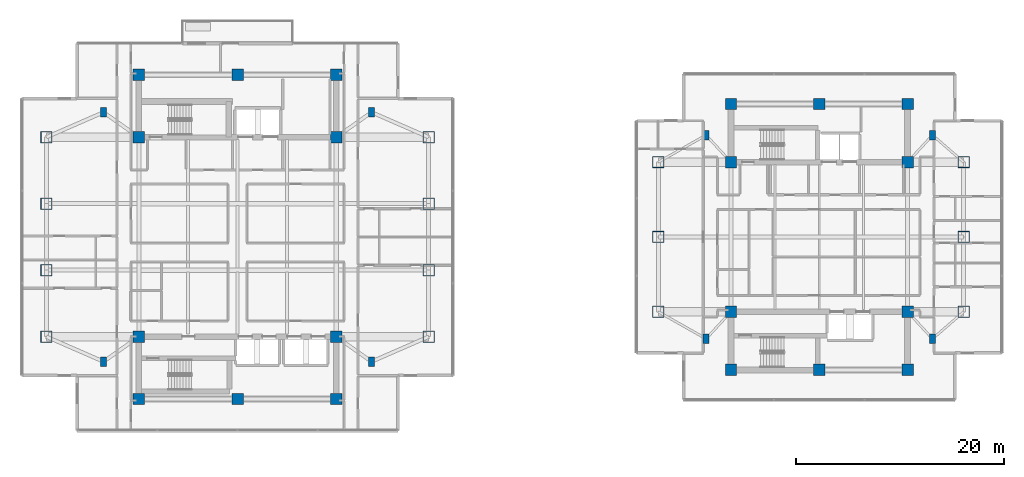
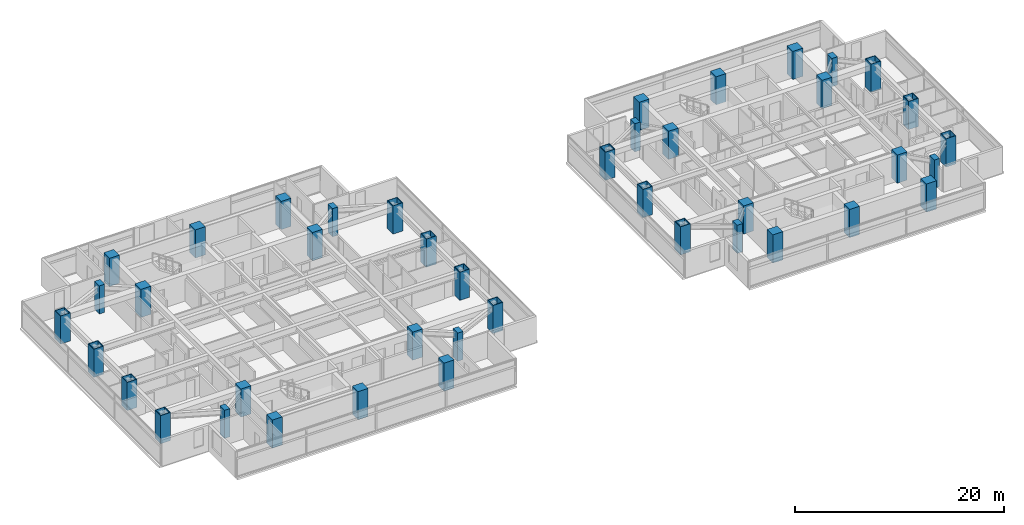
# One storey, part 1 of 26: 42 columns.
"""IFC4 building model written with IfcOpenShell, lengths in metres."""

from ifc_helpers import new_model, si_unit, direction, frame, origin, origin_2d, place, context, subcontext, project, spatial, rectangle, hollow_rectangle, extrude, material, material_profile, profile_set, type_object, element, save


model = new_model("IFC4")

# Units and contexts
model_context = context("Model", 3, precision=1e-05, world=origin(), true_north=direction((0.0, 1.0)))
body_context = subcontext(model_context, "Body", "Model", "MODEL_VIEW")
ifc_project = project(units=[si_unit("LENGTHUNIT", "METRE"), si_unit("AREAUNIT", "SQUARE_METRE"), si_unit("VOLUMEUNIT", "CUBIC_METRE"), si_unit("PLANEANGLEUNIT", "RADIAN"), si_unit("MASSUNIT", "GRAM", prefix="KILO")], contexts=[model_context])

# Site, building, storey
site_placement = place(None, origin())
site = spatial("IfcSite", under=ifc_project, at=site_placement, CompositionType="ELEMENT")
building_placement = place(site_placement, origin())
building = spatial("IfcBuilding", under=site, at=building_placement, Name="Mirazonda Arch Towers", CompositionType="ELEMENT")
storey_placement = place(building_placement, frame((0.0, 0.0, 128.0)))
storey = spatial("IfcBuildingStorey", under=building, at=storey_placement, Name="L36", CompositionType="ELEMENT", Elevation=128.0)

# Columns
ifc_material_1 = material(Name="Concrete C50/60", Category="concrete")
ifc_material_profile_1 = material_profile(ifc_material_1, rectangle(XDim=1.10009765625, YDim=1.10009765625, at=origin_2d()), Name="RC1100x1100")
ifc_profile_set_1 = profile_set([ifc_material_profile_1], Name="Concrete C50/60")
column_type_1 = type_object("IfcColumnType", Name="COL-INT-RC1100x1100", PredefinedType="COLUMN", material=ifc_profile_set_1)
for number, where, z_axis, x_axis, name in (
    (1, (11.0, 12.39990234375, 0.0), (0.0, 0.0, 1.0), (1.0, 0.0, 0.0), "L36 T1 Core Column 01"),
    (2, (20.5, 12.39990234375, 0.0), (0.0, 0.0, 1.0), (1.0, 0.0, 0.0), "L36 T1 Core Column 02"),
    (3, (30.0, 12.39990234375, 0.0), (0.0, 0.0, 1.0), (1.0, 0.0, 0.0), "L36 T1 Core Column 03"),
    (4, (11.0, 18.39990234375, 0.0), (0.0, 0.0, 1.0), (1.0, 0.0, 0.0), "L36 T1 Core Column 04"),
    (5, (30.0, 18.39990234375, 0.0), (0.0, 0.0, 1.0), (1.0, 0.0, 0.0), "L36 T1 Core Column 05"),
    (6, (11.0, 37.60009765625, 0.0), (0.0, 0.0, 1.0), (1.0, 0.0, 0.0), "L36 T1 Core Column 06"),
    (7, (30.0, 37.60009765625, 0.0), (0.0, 0.0, 1.0), (1.0, 0.0, 0.0), "L36 T1 Core Column 07"),
    (8, (11.0, 43.60009765625, 0.0), (0.0, 0.0, 1.0), (1.0, 0.0, 0.0), "L36 T1 Core Column 08"),
    (9, (20.5, 43.60009765625, 0.0), (0.0, 0.0, 1.0), (1.0, 0.0, 0.0), "L36 T1 Core Column 09"),
    (10, (30.0, 43.60009765625, 0.0), (0.0, 0.0, 1.0), (1.0, 0.0, 0.0), "L36 T1 Core Column 10"),
    (11, (68.0, 15.199951171875, 0.0), (0.0, 0.0, 1.0), (1.0, 0.0, 0.0), "L36 T2 Core Column 01"),
    (12, (76.5, 15.199951171875, 0.0), (0.0, 0.0, 1.0), (1.0, 0.0, 0.0), "L36 T2 Core Column 02"),
    (13, (85.0, 15.199951171875, 0.0), (0.0, 0.0, 1.0), (1.0, 0.0, 0.0), "L36 T2 Core Column 03"),
    (14, (68.0, 20.800048828125, 0.0), (0.0, 0.0, 1.0), (1.0, 0.0, 0.0), "L36 T2 Core Column 04"),
    (15, (85.0, 20.800048828125, 0.0), (0.0, 0.0, 1.0), (1.0, 0.0, 0.0), "L36 T2 Core Column 05"),
    (16, (68.0, 35.199951171875, 0.0), (0.0, 0.0, 1.0), (1.0, 0.0, 0.0), "L36 T2 Core Column 06"),
    (17, (85.0, 35.199951171875, 0.0), (0.0, 0.0, 1.0), (1.0, 0.0, 0.0), "L36 T2 Core Column 07"),
    (18, (68.0, 40.800048828125, 0.0), (0.0, 0.0, 1.0), (1.0, 0.0, 0.0), "L36 T2 Core Column 08"),
    (19, (76.5, 40.800048828125, 0.0), (0.0, 0.0, 1.0), (1.0, 0.0, 0.0), "L36 T2 Core Column 09"),
    (20, (85.0, 40.800048828125, 0.0), (0.0, 0.0, 1.0), (1.0, 0.0, 0.0), "L36 T2 Core Column 10"),
):
    element("IfcColumn", number, at=place(storey_placement, frame(where, z_axis=z_axis, x_axis=x_axis)), inside=storey, type_object=column_type_1, Name=name, PredefinedType="COLUMN", context=body_context, shape_type="SweptSolid", body=[
        extrude(rectangle(XDim=1.10009765625, YDim=1.10009765625, at=origin_2d()), origin(), (0.0, 0.0, 1.0), 3.300048828125),
    ])
ifc_material_2 = material(Name="Steel ASTM A572 Grade 50", Category="steel")
ifc_material_profile_2 = material_profile(ifc_material_2, hollow_rectangle(XDim=1.10009765625, YDim=1.10009765625, WallThickness=0.06005859375, at=origin_2d()), Name="BOX1100x1100x60")
ifc_profile_set_2 = profile_set([ifc_material_profile_2], Name="Steel ASTM A572 Grade 50")
column_type_2 = type_object("IfcColumnType", Name="MCOL-EXT-BOX1100x1100x60", PredefinedType="COLUMN", material=ifc_profile_set_2)
for number, where, z_axis, x_axis, name in (
    (21, (2.10009765625, 18.39990234375, 0.0), (0.0, 0.0, 1.0), (1.0, 0.0, 0.0), "L36 T1 Composite Mega-Column 01"),
    (22, (2.10009765625, 24.800048828125, 0.0), (0.0, 0.0, 1.0), (1.0, 0.0, 0.0), "L36 T1 Composite Mega-Column 02"),
    (23, (2.10009765625, 31.199951171875, 0.0), (0.0, 0.0, 1.0), (1.0, 0.0, 0.0), "L36 T1 Composite Mega-Column 03"),
    (24, (2.10009765625, 37.60009765625, 0.0), (0.0, 0.0, 1.0), (1.0, 0.0, 0.0), "L36 T1 Composite Mega-Column 04"),
    (25, (38.89990234375, 18.39990234375, 0.0), (0.0, 0.0, 1.0), (1.0, 0.0, 0.0), "L36 T1 Composite Mega-Column 05"),
    (26, (38.89990234375, 24.800048828125, 0.0), (0.0, 0.0, 1.0), (1.0, 0.0, 0.0), "L36 T1 Composite Mega-Column 06"),
    (27, (38.89990234375, 31.199951171875, 0.0), (0.0, 0.0, 1.0), (1.0, 0.0, 0.0), "L36 T1 Composite Mega-Column 07"),
    (28, (38.89990234375, 37.60009765625, 0.0), (0.0, 0.0, 1.0), (1.0, 0.0, 0.0), "L36 T1 Composite Mega-Column 08"),
    (29, (61.0, 20.800048828125, 0.0), (0.0, 0.0, 1.0), (1.0, 0.0, 0.0), "L36 T2 Composite Mega-Column 01"),
    (30, (61.0, 28.0, 0.0), (0.0, 0.0, 1.0), (1.0, 0.0, 0.0), "L36 T2 Composite Mega-Column 02"),
    (31, (61.0, 35.199951171875, 0.0), (0.0, 0.0, 1.0), (1.0, 0.0, 0.0), "L36 T2 Composite Mega-Column 03"),
    (32, (90.39990234375, 20.800048828125, 0.0), (0.0, 0.0, 1.0), (1.0, 0.0, 0.0), "L36 T2 Composite Mega-Column 04"),
    (33, (90.39990234375, 28.0, 0.0), (0.0, 0.0, 1.0), (1.0, 0.0, 0.0), "L36 T2 Composite Mega-Column 05"),
    (34, (90.39990234375, 35.199951171875, 0.0), (0.0, 0.0, 1.0), (1.0, 0.0, 0.0), "L36 T2 Composite Mega-Column 06"),
):
    element("IfcColumn", number, at=place(storey_placement, frame(where, z_axis=z_axis, x_axis=x_axis)), inside=storey, type_object=column_type_2, Name=name, PredefinedType="COLUMN", context=body_context, shape_type="SweptSolid", body=[
        extrude(hollow_rectangle(XDim=1.10009765625, YDim=1.10009765625, WallThickness=0.06005859375, at=origin_2d()), origin(), (0.0, 0.0, 1.0), 3.300048828125),
    ])
ifc_material_profile_3 = material_profile(ifc_material_1, rectangle(XDim=0.60009765625, YDim=0.89990234375, at=origin_2d()), Name="RC900x600")
ifc_profile_set_3 = profile_set([ifc_material_profile_3], Name="Concrete C50/60")
column_type_3 = type_object("IfcColumnType", Name="PIL-EXT-RC900x600", PredefinedType="PILASTER", material=ifc_profile_set_3)
for number, where, z_axis, x_axis, name in (
    (35, (7.60009765625, 16.0, 0.0), (0.0, 0.0, 1.0), (1.0, 0.0, 0.0), "L36 T1 Corner Pilaster 01"),
    (36, (33.39990234375, 16.0, 0.0), (0.0, 0.0, 1.0), (1.0, 0.0, 0.0), "L36 T1 Corner Pilaster 02"),
    (37, (7.60009765625, 40.0, 0.0), (0.0, 0.0, 1.0), (1.0, 0.0, 0.0), "L36 T1 Corner Pilaster 03"),
    (38, (33.39990234375, 40.0, 0.0), (0.0, 0.0, 1.0), (1.0, 0.0, 0.0), "L36 T1 Corner Pilaster 04"),
    (39, (65.60009765625, 18.199951171875, 0.0), (0.0, 0.0, 1.0), (1.0, 0.0, 0.0), "L36 T2 Corner Pilaster 01"),
    (40, (87.39990234375, 18.199951171875, 0.0), (0.0, 0.0, 1.0), (1.0, 0.0, 0.0), "L36 T2 Corner Pilaster 02"),
    (41, (65.60009765625, 37.800048828125, 0.0), (0.0, 0.0, 1.0), (1.0, 0.0, 0.0), "L36 T2 Corner Pilaster 03"),
    (42, (87.39990234375, 37.800048828125, 0.0), (0.0, 0.0, 1.0), (1.0, 0.0, 0.0), "L36 T2 Corner Pilaster 04"),
):
    element("IfcColumn", number, at=place(storey_placement, frame(where, z_axis=z_axis, x_axis=x_axis)), inside=storey, type_object=column_type_3, Name=name, PredefinedType="PILASTER", context=body_context, shape_type="SweptSolid", body=[
        extrude(rectangle(XDim=0.60009765625, YDim=0.89990234375, at=origin_2d()), origin(), (0.0, 0.0, 1.0), 3.300048828125),
    ])

save(model, "model.ifc")
